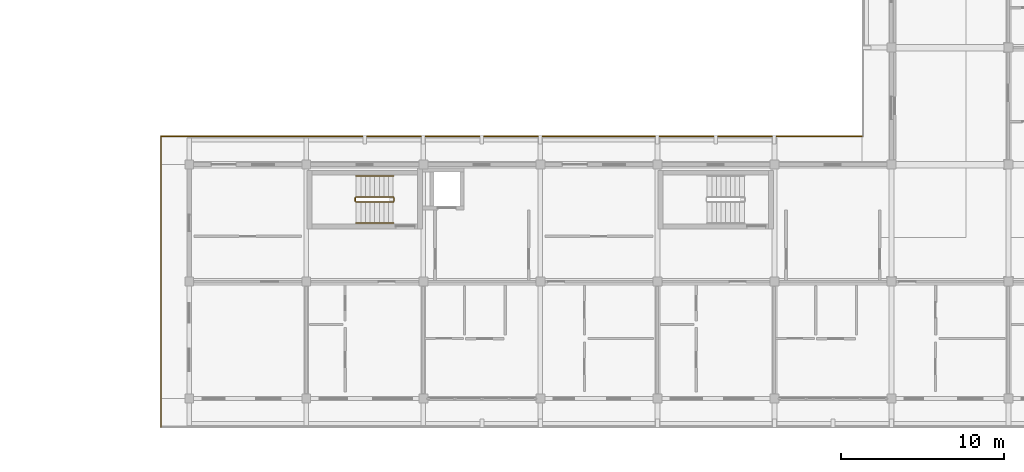
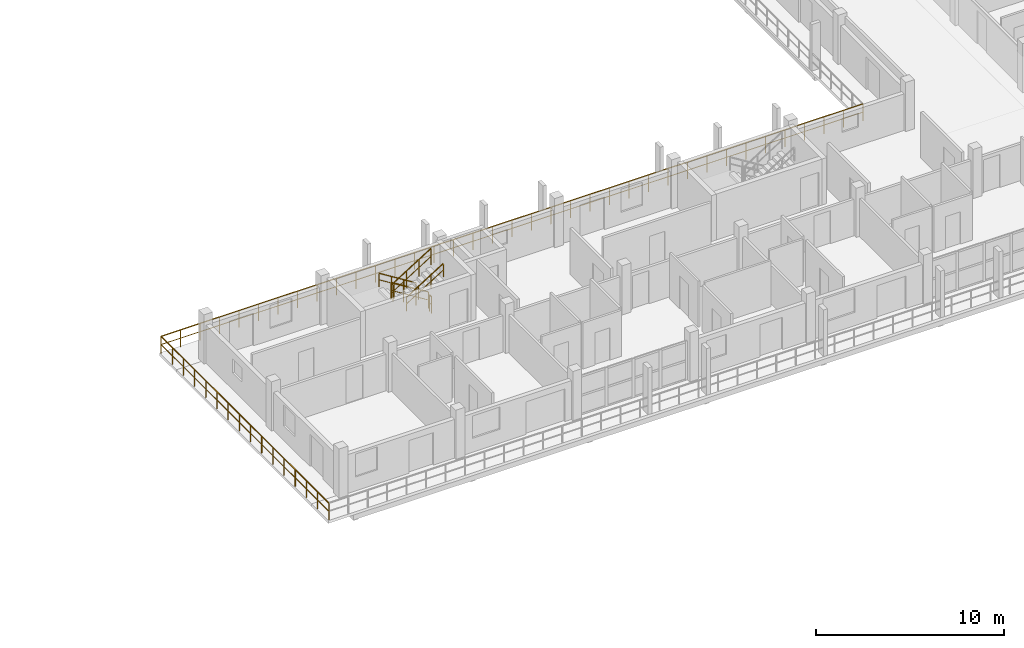
# One storey, part 61 of 67: 8 railings.
"""IFC4 building model written with IfcOpenShell, lengths in metres."""

import ifcopenshell
import ifcopenshell.guid

model = None  # the IFC model being written
_history = None  # IfcOwnerHistory: only IFC2X3 demands one
_inside = {}  # id of a spatial element -> (the spatial element, [elements in it])
_under = {}  # id of a project, library or spatial element -> (it, [spatial elements below it])
_declared = {}  # id of a project -> (the project, [libraries it declares])
_typed = {}  # id of a type object -> (the type object, [elements of that type])
_made_of = {}  # id of a material, layer set ... -> (it, [elements and type objects made of it])


def new_model(schema):
    """Start an empty IFC model of exactly this schema.

    Asked for "IFC4X3", IfcOpenShell would pick the latest addendum, in which some entities
    have other attributes; the version numbers below select the first issue.
    IFC2X3 requires an IfcOwnerHistory on every rooted entity: one is made here for all.
    """
    global model, _history
    if schema == "IFC4X3":
        model = ifcopenshell.file(schema_version=(4, 3, 0, 0))
    else:
        model = ifcopenshell.file(schema=schema)
    _inside.clear()
    _under.clear()
    _declared.clear()
    _typed.clear()
    _made_of.clear()
    _history = None
    if model.schema == "IFC2X3":
        org = make("IfcOrganization", Name="unknown")
        user = make(
            "IfcPersonAndOrganization",
            ThePerson=make("IfcPerson", FamilyName="unknown"),
            TheOrganization=org,
        )
        app = make(
            "IfcApplication",
            ApplicationDeveloper=org,
            Version="unknown",
            ApplicationFullName="unknown",
            ApplicationIdentifier="unknown",
        )
        _history = make(
            "IfcOwnerHistory",
            OwningUser=user,
            OwningApplication=app,
            ChangeAction="ADDED",
            CreationDate=0,
        )
    return model


def make(cls, **values):
    """One entity of the class cls with the attributes given. An attribute that is None is left unset."""
    return model.create_entity(
        cls, **{name: value for name, value in values.items() if value is not None}
    )


def rooted(cls, **values):
    """An entity with a GlobalId (a new one), such as an element, a storey or a relation."""
    return make(cls, GlobalId=ifcopenshell.guid.new(), OwnerHistory=_history, **values)


def si_unit(unit_type, name, prefix=None):
    """IfcSIUnit, for example si_unit("LENGTHUNIT", "METRE", prefix="MILLI")."""
    return make("IfcSIUnit", UnitType=unit_type, Prefix=prefix, Name=name)


def assignment(units):
    """IfcUnitAssignment: the units of a project."""
    return None if units is None else make("IfcUnitAssignment", Units=units)


def point(xyz):
    """IfcCartesianPoint."""
    return None if xyz is None else make("IfcCartesianPoint", Coordinates=xyz)


def direction(xyz):
    """IfcDirection."""
    return None if xyz is None else make("IfcDirection", DirectionRatios=xyz)


def frame(location, z_axis=None, x_axis=None):
    """IfcAxis2Placement3D, a coordinate frame: its origin and axes. An axis left out is left unset."""
    return make(
        "IfcAxis2Placement3D",
        Location=point(location),
        Axis=direction(z_axis),
        RefDirection=direction(x_axis),
    )


def frame_2d(location, x_axis=None):
    """IfcAxis2Placement2D, a coordinate frame in the plane: its origin and x axis."""
    return make(
        "IfcAxis2Placement2D", Location=point(location), RefDirection=direction(x_axis)
    )


def origin():
    """The frame at (0, 0, 0) with its axes left unset."""
    return frame((0.0, 0.0, 0.0))


def origin_2d():
    """The frame at (0, 0) in the plane with its x axis left unset."""
    return frame_2d((0.0, 0.0))


def place(relative_to, where):
    """IfcLocalPlacement: puts the frame where relative to a parent placement (None: the world)."""
    return make(
        "IfcLocalPlacement", PlacementRelTo=relative_to, RelativePlacement=where
    )


def context(
    kind, dimensions, precision=None, world=None, true_north=None, identifier=None
):
    """IfcGeometricRepresentationContext, for example the 3D "Model" context."""
    return make(
        "IfcGeometricRepresentationContext",
        ContextIdentifier=identifier,
        ContextType=kind,
        CoordinateSpaceDimension=dimensions,
        Precision=precision,
        WorldCoordinateSystem=world,
        TrueNorth=true_north,
    )


def subcontext(parent, identifier, kind, view, scale=None):
    """IfcGeometricRepresentationSubContext, for example "Body" below "Model"."""
    return make(
        "IfcGeometricRepresentationSubContext",
        ContextIdentifier=identifier,
        ContextType=kind,
        ParentContext=parent,
        TargetScale=scale,
        TargetView=view,
    )


def project(units=None, contexts=None):
    """IfcProject with its units and contexts."""
    return rooted(
        "IfcProject",
        Name="project",
        RepresentationContexts=contexts,
        UnitsInContext=assignment(units),
    )


def spatial(cls, under=None, at=None, **own):
    """A site, building, storey or space (cls), placed at a placement, below another one or the project."""
    s = rooted(cls, ObjectPlacement=at, **own)
    if under is not None:
        _under.setdefault(under.id(), (under, []))[1].append(s)
    return s


def profile(cls, at=None, kind="AREA", **sizes):
    """A parametric profile (cls). Its sizes go by their IFC names, for example OverallWidth=200.0."""
    return make(cls, ProfileType=kind, Position=at, **sizes)


def rectangle(**sizes):
    """IfcRectangleProfileDef."""
    return profile("IfcRectangleProfileDef", **sizes)


def extrude(swept, where, along, depth):
    """IfcExtrudedAreaSolid: the profile swept, set in the frame where, extruded along a direction by depth."""
    return make(
        "IfcExtrudedAreaSolid",
        SweptArea=swept,
        Position=where,
        ExtrudedDirection=direction(along),
        Depth=depth,
    )


def shape(context_of_items, identifier, shape_type, items):
    """IfcShapeRepresentation: the items that make up one representation, for example the "Body"."""
    return make(
        "IfcShapeRepresentation",
        ContextOfItems=context_of_items,
        RepresentationIdentifier=identifier,
        RepresentationType=shape_type,
        Items=items,
    )


def material(Name=None, Category=None):
    """IfcMaterial."""
    return make("IfcMaterial", Name=Name, Category=Category)


def made_of(thing, what):
    """Note that an element or type object is made of a material, layer set ...; save() writes the relation."""
    if what is not None:
        _made_of.setdefault(what.id(), (what, []))[1].append(thing)
    return thing


def type_object(cls, material=None, **own):
    """A type object (cls), such as IfcWallType, which elements share."""
    return made_of(rooted(cls, **own), material)


def element(
    cls,
    number,
    at=None,
    inside=None,
    cuts=None,
    type_object=None,
    material=None,
    context=None,
    identifier="Body",
    shape_type=None,
    held_by="IfcProductDefinitionShape",
    body=None,
    shapes=None,
    **own,
):
    """One element of the class cls, such as IfcWall. Its Tag is "e" and its number.

    at: its placement. inside: the storey or other place that contains it. cuts: it is an
    opening in that element (IfcRelVoidsElement). A single representation is given by context,
    identifier, shape_type and body (its items); several are given by shapes. held_by: the class
    of the entity that holds the representations. save() writes the other relations.
    """
    e = rooted(cls, Tag="e%d" % number, ObjectPlacement=at, **own)
    if body is not None:
        shapes = [shape(context, identifier, shape_type, body)]
    if shapes is not None:
        e.Representation = make(held_by, Representations=shapes)
    if inside is not None:
        _inside.setdefault(inside.id(), (inside, []))[1].append(e)
    if cuts is not None:
        rooted(
            "IfcRelVoidsElement", RelatingBuildingElement=cuts, RelatedOpeningElement=e
        )
    if type_object is not None:
        _typed.setdefault(type_object.id(), (type_object, []))[1].append(e)
    return made_of(e, material)


def aggregate(whole, parts):
    """IfcRelAggregates: a whole, such as a stair, and the parts it consists of."""
    return rooted("IfcRelAggregates", RelatingObject=whole, RelatedObjects=parts)


def save(model, path):
    """Write the relations noted so far, then the file.

    IfcRelAggregates (storeys below a building ...), IfcRelContainedInSpatialStructure (elements
    in a storey), IfcRelDefinesByType, IfcRelAssociatesMaterial and IfcRelDeclares: one each for
    every whole, place, type object, material and project.
    """
    for whole, parts in _under.values():
        aggregate(whole, parts)
    for where, things in _inside.values():
        rooted(
            "IfcRelContainedInSpatialStructure",
            RelatedElements=things,
            RelatingStructure=where,
        )
    for kind, things in _typed.values():
        rooted("IfcRelDefinesByType", RelatedObjects=things, RelatingType=kind)
    for what, things in _made_of.values():
        rooted("IfcRelAssociatesMaterial", RelatedObjects=things, RelatingMaterial=what)
    for by, libraries in _declared.values():
        rooted("IfcRelDeclares", RelatingContext=by, RelatedDefinitions=libraries)
    model.write(path)


model = new_model("IFC4")

# Units and contexts
model_context = context("Model", 3, precision=1e-05, world=origin(), true_north=direction((0.0, 1.0)))
body_context = subcontext(model_context, "Body", "Model", "MODEL_VIEW")
ifc_project = project(units=[si_unit("LENGTHUNIT", "METRE"), si_unit("AREAUNIT", "SQUARE_METRE"), si_unit("VOLUMEUNIT", "CUBIC_METRE"), si_unit("PLANEANGLEUNIT", "RADIAN"), si_unit("MASSUNIT", "GRAM", prefix="KILO")], contexts=[model_context])

# Site, building, storey
site_placement = place(None, origin())
site = spatial("IfcSite", under=ifc_project, at=site_placement, CompositionType="ELEMENT")
building_placement = place(site_placement, origin())
building = spatial("IfcBuilding", under=site, at=building_placement, Name="Suanplinth Sawtooth Commons", CompositionType="ELEMENT")
storey_placement = place(building_placement, frame((0.0, 0.0, 25.10009765625)))
storey = spatial("IfcBuildingStorey", under=building, at=storey_placement, Name="L07", CompositionType="ELEMENT", Elevation=25.10009765625)

# Railings
ifc_material_1 = material(Name="Powder-coated galvanized steel", Category="steel")
railing_type_1 = type_object("IfcRailingType", Name="GR-01", PredefinedType="BALUSTRADE", material=ifc_material_1)
railing_1_placement = place(storey_placement, frame((127.860107421875, -1.739990234375, 0.0)))
element("IfcRailing", 1, at=railing_1_placement, inside=storey, type_object=railing_type_1, Name="L07 Block C Perimeter Balustrade 1", PredefinedType="BALUSTRADE", context=body_context, shape_type="SweptSolid", body=[
    extrude(rectangle(XDim=0.048095703125, YDim=0.048095703125, at=origin_2d()), frame((0.0, 0.0, 1.09619140625), z_axis=(0.0, 1.0, 0.0), x_axis=(-1.0, 0.0, 0.0)), (0.0, 0.0, 1.0), 17.8798828125),
    extrude(rectangle(XDim=0.03369140625, YDim=0.03369140625, at=origin_2d()), frame((0.0, 0.0, 0.56005859375), z_axis=(0.0, 1.0, 0.0), x_axis=(-1.0, 0.0, 0.0)), (0.0, 0.0, 1.0), 17.8798828125),
    extrude(rectangle(XDim=0.0419921875, YDim=0.0419921875, at=origin_2d()), origin(), (0.0, 0.0, 1.0), 1.072021484375),
    extrude(rectangle(XDim=0.0419921875, YDim=0.0419921875, at=origin_2d()), frame((0.0, 1.19189453125, 0.0)), (0.0, 0.0, 1.0), 1.072021484375),
    extrude(rectangle(XDim=0.0419921875, YDim=0.0419921875, at=origin_2d()), frame((0.0, 2.384033203125, 0.0)), (0.0, 0.0, 1.0), 1.072021484375),
    extrude(rectangle(XDim=0.0419921875, YDim=0.0419921875, at=origin_2d()), frame((0.0, 3.575927734375, 0.0)), (0.0, 0.0, 1.0), 1.072021484375),
    extrude(rectangle(XDim=0.0419921875, YDim=0.0419921875, at=origin_2d()), frame((0.0, 4.76806640625, 0.0)), (0.0, 0.0, 1.0), 1.072021484375),
    extrude(rectangle(XDim=0.0419921875, YDim=0.0419921875, at=origin_2d()), frame((0.0, 5.9599609375, 0.0)), (0.0, 0.0, 1.0), 1.072021484375),
    extrude(rectangle(XDim=0.0419921875, YDim=0.0419921875, at=origin_2d()), frame((0.0, 7.15185546875, 0.0)), (0.0, 0.0, 1.0), 1.072021484375),
    extrude(rectangle(XDim=0.0419921875, YDim=0.0419921875, at=origin_2d()), frame((0.0, 8.343994140625, 0.0)), (0.0, 0.0, 1.0), 1.072021484375),
    extrude(rectangle(XDim=0.0419921875, YDim=0.0419921875, at=origin_2d()), frame((0.0, 9.535888671875, 0.0)), (0.0, 0.0, 1.0), 1.072021484375),
    extrude(rectangle(XDim=0.0419921875, YDim=0.0419921875, at=origin_2d()), frame((0.0, 10.72802734375, 0.0)), (0.0, 0.0, 1.0), 1.072021484375),
    extrude(rectangle(XDim=0.0419921875, YDim=0.0419921875, at=origin_2d()), frame((0.0, 11.919921875, 0.0)), (0.0, 0.0, 1.0), 1.072021484375),
    extrude(rectangle(XDim=0.0419921875, YDim=0.0419921875, at=origin_2d()), frame((0.0, 13.11181640625, 0.0)), (0.0, 0.0, 1.0), 1.072021484375),
    extrude(rectangle(XDim=0.0419921875, YDim=0.0419921875, at=origin_2d()), frame((0.0, 14.303955078125, 0.0)), (0.0, 0.0, 1.0), 1.072021484375),
    extrude(rectangle(XDim=0.0419921875, YDim=0.0419921875, at=origin_2d()), frame((0.0, 15.495849609375, 0.0)), (0.0, 0.0, 1.0), 1.072021484375),
    extrude(rectangle(XDim=0.0419921875, YDim=0.0419921875, at=origin_2d()), frame((0.0, 16.68798828125, 0.0)), (0.0, 0.0, 1.0), 1.072021484375),
    extrude(rectangle(XDim=0.0419921875, YDim=0.0419921875, at=origin_2d()), frame((0.0, 17.8798828125, 0.0)), (0.0, 0.0, 1.0), 1.072021484375),
])
railing_2_placement = place(storey_placement, frame((127.860107421875, 16.139892578125, 0.0)))
element("IfcRailing", 2, at=railing_2_placement, inside=storey, type_object=railing_type_1, Name="L07 Block C Perimeter Balustrade 2", PredefinedType="BALUSTRADE", context=body_context, shape_type="SweptSolid", body=[
    extrude(rectangle(XDim=0.048095703125, YDim=0.048095703125, at=origin_2d()), frame((0.0, 0.0, 1.09619140625), z_axis=(1.0, 0.0, 0.0), x_axis=(0.0, 1.0, 0.0)), (0.0, 0.0, 1.0), 43.199951171875),
    extrude(rectangle(XDim=0.03369140625, YDim=0.03369140625, at=origin_2d()), frame((0.0, 0.0, 0.56005859375), z_axis=(1.0, 0.0, 0.0), x_axis=(0.0, 1.0, 0.0)), (0.0, 0.0, 1.0), 43.199951171875),
    extrude(rectangle(XDim=0.0419921875, YDim=0.0419921875, at=origin_2d()), origin(), (0.0, 0.0, 1.0), 1.072021484375),
    extrude(rectangle(XDim=0.0419921875, YDim=0.0419921875, at=origin_2d()), frame((1.199951171875, 0.0, 0.0)), (0.0, 0.0, 1.0), 1.072021484375),
    extrude(rectangle(XDim=0.0419921875, YDim=0.0419921875, at=origin_2d()), frame((2.39990234375, 0.0, 0.0)), (0.0, 0.0, 1.0), 1.072021484375),
    extrude(rectangle(XDim=0.0419921875, YDim=0.0419921875, at=origin_2d()), frame((3.60009765625, 0.0, 0.0)), (0.0, 0.0, 1.0), 1.072021484375),
    extrude(rectangle(XDim=0.0419921875, YDim=0.0419921875, at=origin_2d()), frame((4.800048828125, 0.0, 0.0)), (0.0, 0.0, 1.0), 1.072021484375),
    extrude(rectangle(XDim=0.0419921875, YDim=0.0419921875, at=origin_2d()), frame((6.0, 0.0, 0.0)), (0.0, 0.0, 1.0), 1.072021484375),
    extrude(rectangle(XDim=0.0419921875, YDim=0.0419921875, at=origin_2d()), frame((7.199951171875, 0.0, 0.0)), (0.0, 0.0, 1.0), 1.072021484375),
    extrude(rectangle(XDim=0.0419921875, YDim=0.0419921875, at=origin_2d()), frame((8.39990234375, 0.0, 0.0)), (0.0, 0.0, 1.0), 1.072021484375),
    extrude(rectangle(XDim=0.0419921875, YDim=0.0419921875, at=origin_2d()), frame((9.60009765625, 0.0, 0.0)), (0.0, 0.0, 1.0), 1.072021484375),
    extrude(rectangle(XDim=0.0419921875, YDim=0.0419921875, at=origin_2d()), frame((10.800048828125, 0.0, 0.0)), (0.0, 0.0, 1.0), 1.072021484375),
    extrude(rectangle(XDim=0.0419921875, YDim=0.0419921875, at=origin_2d()), frame((12.0, 0.0, 0.0)), (0.0, 0.0, 1.0), 1.072021484375),
    extrude(rectangle(XDim=0.0419921875, YDim=0.0419921875, at=origin_2d()), frame((13.199951171875, 0.0, 0.0)), (0.0, 0.0, 1.0), 1.072021484375),
    extrude(rectangle(XDim=0.0419921875, YDim=0.0419921875, at=origin_2d()), frame((14.39990234375, 0.0, 0.0)), (0.0, 0.0, 1.0), 1.072021484375),
    extrude(rectangle(XDim=0.0419921875, YDim=0.0419921875, at=origin_2d()), frame((15.60009765625, 0.0, 0.0)), (0.0, 0.0, 1.0), 1.072021484375),
    extrude(rectangle(XDim=0.0419921875, YDim=0.0419921875, at=origin_2d()), frame((16.800048828125, 0.0, 0.0)), (0.0, 0.0, 1.0), 1.072021484375),
    extrude(rectangle(XDim=0.0419921875, YDim=0.0419921875, at=origin_2d()), frame((18.0, 0.0, 0.0)), (0.0, 0.0, 1.0), 1.072021484375),
    extrude(rectangle(XDim=0.0419921875, YDim=0.0419921875, at=origin_2d()), frame((19.199951171875, 0.0, 0.0)), (0.0, 0.0, 1.0), 1.072021484375),
    extrude(rectangle(XDim=0.0419921875, YDim=0.0419921875, at=origin_2d()), frame((20.39990234375, 0.0, 0.0)), (0.0, 0.0, 1.0), 1.072021484375),
    extrude(rectangle(XDim=0.0419921875, YDim=0.0419921875, at=origin_2d()), frame((21.60009765625, 0.0, 0.0)), (0.0, 0.0, 1.0), 1.072021484375),
    extrude(rectangle(XDim=0.0419921875, YDim=0.0419921875, at=origin_2d()), frame((22.800048828125, 0.0, 0.0)), (0.0, 0.0, 1.0), 1.072021484375),
    extrude(rectangle(XDim=0.0419921875, YDim=0.0419921875, at=origin_2d()), frame((24.0, 0.0, 0.0)), (0.0, 0.0, 1.0), 1.072021484375),
    extrude(rectangle(XDim=0.0419921875, YDim=0.0419921875, at=origin_2d()), frame((25.199951171875, 0.0, 0.0)), (0.0, 0.0, 1.0), 1.072021484375),
    extrude(rectangle(XDim=0.0419921875, YDim=0.0419921875, at=origin_2d()), frame((26.39990234375, 0.0, 0.0)), (0.0, 0.0, 1.0), 1.072021484375),
    extrude(rectangle(XDim=0.0419921875, YDim=0.0419921875, at=origin_2d()), frame((27.599853515625, 0.0, 0.0)), (0.0, 0.0, 1.0), 1.072021484375),
    extrude(rectangle(XDim=0.0419921875, YDim=0.0419921875, at=origin_2d()), frame((28.800048828125, 0.0, 0.0)), (0.0, 0.0, 1.0), 1.072021484375),
    extrude(rectangle(XDim=0.0419921875, YDim=0.0419921875, at=origin_2d()), frame((30.0, 0.0, 0.0)), (0.0, 0.0, 1.0), 1.072021484375),
    extrude(rectangle(XDim=0.0419921875, YDim=0.0419921875, at=origin_2d()), frame((31.199951171875, 0.0, 0.0)), (0.0, 0.0, 1.0), 1.072021484375),
    extrude(rectangle(XDim=0.0419921875, YDim=0.0419921875, at=origin_2d()), frame((32.39990234375, 0.0, 0.0)), (0.0, 0.0, 1.0), 1.072021484375),
    extrude(rectangle(XDim=0.0419921875, YDim=0.0419921875, at=origin_2d()), frame((33.599853515625, 0.0, 0.0)), (0.0, 0.0, 1.0), 1.072021484375),
    extrude(rectangle(XDim=0.0419921875, YDim=0.0419921875, at=origin_2d()), frame((34.800048828125, 0.0, 0.0)), (0.0, 0.0, 1.0), 1.072021484375),
    extrude(rectangle(XDim=0.0419921875, YDim=0.0419921875, at=origin_2d()), frame((36.0, 0.0, 0.0)), (0.0, 0.0, 1.0), 1.072021484375),
    extrude(rectangle(XDim=0.0419921875, YDim=0.0419921875, at=origin_2d()), frame((37.199951171875, 0.0, 0.0)), (0.0, 0.0, 1.0), 1.072021484375),
    extrude(rectangle(XDim=0.0419921875, YDim=0.0419921875, at=origin_2d()), frame((38.39990234375, 0.0, 0.0)), (0.0, 0.0, 1.0), 1.072021484375),
    extrude(rectangle(XDim=0.0419921875, YDim=0.0419921875, at=origin_2d()), frame((39.599853515625, 0.0, 0.0)), (0.0, 0.0, 1.0), 1.072021484375),
    extrude(rectangle(XDim=0.0419921875, YDim=0.0419921875, at=origin_2d()), frame((40.800048828125, 0.0, 0.0)), (0.0, 0.0, 1.0), 1.072021484375),
    extrude(rectangle(XDim=0.0419921875, YDim=0.0419921875, at=origin_2d()), frame((42.0, 0.0, 0.0)), (0.0, 0.0, 1.0), 1.072021484375),
    extrude(rectangle(XDim=0.0419921875, YDim=0.0419921875, at=origin_2d()), frame((43.199951171875, 0.0, 0.0)), (0.0, 0.0, 1.0), 1.072021484375),
])
ifc_material_2 = material(Name="Stainless steel Grade 304", Category="steel")
railing_type_2 = type_object("IfcRailingType", Name="GR-04", PredefinedType="GUARDRAIL", material=ifc_material_2)
railing_3_placement = place(storey_placement, frame((142.14990234375, 12.39990234375, 0.177734375)))
element("IfcRailing", 3, at=railing_3_placement, inside=storey, type_object=railing_type_2, Name="L07 ST-S1 Guard 1", PredefinedType="GUARDRAIL", context=body_context, shape_type="SweptSolid", body=[
    extrude(rectangle(XDim=0.048095703125, YDim=0.048095703125, at=origin_2d()), frame((0.0, 0.0, 1.076171875), z_axis=(-0.848457393559, 0.0, 0.529263687886), x_axis=(0.0, -1.0, 0.0)), (0.0, 0.0, 1.0), 2.68701171875),
    extrude(rectangle(XDim=0.03369140625, YDim=0.03369140625, at=origin_2d()), frame((0.0, 0.0, 0.550048828125), z_axis=(-0.848457393559, 0.0, 0.529263687886), x_axis=(0.0, -1.0, 0.0)), (0.0, 0.0, 1.0), 2.68701171875),
    extrude(rectangle(XDim=0.0419921875, YDim=0.0419921875, at=origin_2d()), origin(), (0.0, 0.0, 1.0), 1.052001953125),
    extrude(rectangle(XDim=0.0419921875, YDim=0.0419921875, at=origin_2d()), frame((-0.760009765625, 0.0, 0.47412109375)), (0.0, 0.0, 1.0), 1.052001953125),
    extrude(rectangle(XDim=0.0419921875, YDim=0.0419921875, at=origin_2d()), frame((-1.519775390625, 0.0, 0.947998046875)), (0.0, 0.0, 1.0), 1.052001953125),
    extrude(rectangle(XDim=0.0419921875, YDim=0.0419921875, at=origin_2d()), frame((-2.27978515625, 0.0, 1.422119140625)), (0.0, 0.0, 1.0), 1.052001953125),
])
railing_4_placement = place(storey_placement, frame((139.820068359375, 12.35009765625, 1.599853515625)))
element("IfcRailing", 4, at=railing_4_placement, inside=storey, type_object=railing_type_2, Name="L07 ST-S1 Guard 2", PredefinedType="GUARDRAIL", context=body_context, shape_type="SweptSolid", body=[
    extrude(rectangle(XDim=0.048095703125, YDim=0.048095703125, at=origin_2d()), frame((0.0, 0.0, 1.076171875), z_axis=(0.0, -1.0, 0.0), x_axis=(1.0, 0.0, 0.0)), (0.0, 0.0, 1.0), 0.2001953125),
    extrude(rectangle(XDim=0.03369140625, YDim=0.03369140625, at=origin_2d()), frame((0.0, 0.0, 0.550048828125), z_axis=(0.0, -1.0, 0.0), x_axis=(1.0, 0.0, 0.0)), (0.0, 0.0, 1.0), 0.2001953125),
    extrude(rectangle(XDim=0.0419921875, YDim=0.0419921875, at=origin_2d()), origin(), (0.0, 0.0, 1.0), 1.052001953125),
    extrude(rectangle(XDim=0.0419921875, YDim=0.0419921875, at=origin_2d()), frame((0.0, -0.2001953125, 0.0)), (0.0, 0.0, 1.0), 1.052001953125),
])
railing_5_placement = place(storey_placement, frame((139.8701171875, 12.10009765625, 1.777587890625)))
element("IfcRailing", 5, at=railing_5_placement, inside=storey, type_object=railing_type_2, Name="L07 ST-S1 Guard 3", PredefinedType="GUARDRAIL", context=body_context, shape_type="SweptSolid", body=[
    extrude(rectangle(XDim=0.048095703125, YDim=0.048095703125, at=origin_2d()), frame((0.0, 0.0, 1.076171875), z_axis=(0.848416591296, 0.0, 0.529329091978), x_axis=(0.0, 1.0, 0.0)), (0.0, 0.0, 1.0), 2.68701171875),
    extrude(rectangle(XDim=0.03369140625, YDim=0.03369140625, at=origin_2d()), frame((0.0, 0.0, 0.550048828125), z_axis=(0.848416591296, 0.0, 0.529329091978), x_axis=(0.0, 1.0, 0.0)), (0.0, 0.0, 1.0), 2.68701171875),
    extrude(rectangle(XDim=0.0419921875, YDim=0.0419921875, at=origin_2d()), origin(), (0.0, 0.0, 1.0), 1.052001953125),
    extrude(rectangle(XDim=0.0419921875, YDim=0.0419921875, at=origin_2d()), frame((0.760009765625, 0.0, 0.47412109375)), (0.0, 0.0, 1.0), 1.052001953125),
    extrude(rectangle(XDim=0.0419921875, YDim=0.0419921875, at=origin_2d()), frame((1.519775390625, 0.0, 0.9482421875)), (0.0, 0.0, 1.0), 1.052001953125),
    extrude(rectangle(XDim=0.0419921875, YDim=0.0419921875, at=origin_2d()), frame((2.27978515625, 0.0, 1.42236328125)), (0.0, 0.0, 1.0), 1.052001953125),
])
railing_6_placement = place(storey_placement, frame((142.199951171875, 12.35009765625, 0.0)))
element("IfcRailing", 6, at=railing_6_placement, inside=storey, type_object=railing_type_2, Name="L07 ST-S1 Guard 4", PredefinedType="GUARDRAIL", context=body_context, shape_type="SweptSolid", body=[
    extrude(rectangle(XDim=0.048095703125, YDim=0.048095703125, at=origin_2d()), frame((0.0, 0.0, 1.076171875), z_axis=(0.0, -1.0, 0.0), x_axis=(1.0, 0.0, 0.0)), (0.0, 0.0, 1.0), 0.2001953125),
    extrude(rectangle(XDim=0.03369140625, YDim=0.03369140625, at=origin_2d()), frame((0.0, 0.0, 0.550048828125), z_axis=(0.0, -1.0, 0.0), x_axis=(1.0, 0.0, 0.0)), (0.0, 0.0, 1.0), 0.2001953125),
    extrude(rectangle(XDim=0.0419921875, YDim=0.0419921875, at=origin_2d()), origin(), (0.0, 0.0, 1.0), 1.052001953125),
    extrude(rectangle(XDim=0.0419921875, YDim=0.0419921875, at=origin_2d()), frame((0.0, -0.2001953125, 0.0)), (0.0, 0.0, 1.0), 1.052001953125),
])
railing_type_3 = type_object("IfcRailingType", Name="HR-01", PredefinedType="HANDRAIL", material=ifc_material_2)
railing_7_placement = place(storey_placement, frame((142.14990234375, 13.699951171875, 0.177734375)))
element("IfcRailing", 7, at=railing_7_placement, inside=storey, type_object=railing_type_3, Name="L07 ST-S1 Handrail 1", PredefinedType="HANDRAIL", context=body_context, shape_type="SweptSolid", body=[
    extrude(rectangle(XDim=0.048095703125, YDim=0.048095703125, at=origin_2d()), frame((0.0, 0.0, 0.8759765625), z_axis=(-0.848457393559, 0.0, 0.529263687886), x_axis=(0.0, -1.0, 0.0)), (0.0, 0.0, 1.0), 2.68701171875),
    extrude(rectangle(XDim=0.03369140625, YDim=0.03369140625, at=origin_2d()), frame((0.0, 0.0, 0.449951171875), z_axis=(-0.848457393559, 0.0, 0.529263687886), x_axis=(0.0, -1.0, 0.0)), (0.0, 0.0, 1.0), 2.68701171875),
    extrude(rectangle(XDim=0.0419921875, YDim=0.0419921875, at=origin_2d()), origin(), (0.0, 0.0, 1.0), 0.851806640625),
    extrude(rectangle(XDim=0.0419921875, YDim=0.0419921875, at=origin_2d()), frame((-0.760009765625, 0.0, 0.47412109375)), (0.0, 0.0, 1.0), 0.851806640625),
    extrude(rectangle(XDim=0.0419921875, YDim=0.0419921875, at=origin_2d()), frame((-1.519775390625, 0.0, 0.947998046875)), (0.0, 0.0, 1.0), 0.851806640625),
    extrude(rectangle(XDim=0.0419921875, YDim=0.0419921875, at=origin_2d()), frame((-2.27978515625, 0.0, 1.422119140625)), (0.0, 0.0, 1.0), 0.851806640625),
])
railing_8_placement = place(storey_placement, frame((139.8701171875, 10.800048828125, 1.777587890625)))
element("IfcRailing", 8, at=railing_8_placement, inside=storey, type_object=railing_type_3, Name="L07 ST-S1 Handrail 2", PredefinedType="HANDRAIL", context=body_context, shape_type="SweptSolid", body=[
    extrude(rectangle(XDim=0.048095703125, YDim=0.048095703125, at=origin_2d()), frame((0.0, 0.0, 0.8759765625), z_axis=(0.848416591296, 0.0, 0.529329091978), x_axis=(0.0, 1.0, 0.0)), (0.0, 0.0, 1.0), 2.68701171875),
    extrude(rectangle(XDim=0.03369140625, YDim=0.03369140625, at=origin_2d()), frame((0.0, 0.0, 0.449951171875), z_axis=(0.848416591296, 0.0, 0.529329091978), x_axis=(0.0, 1.0, 0.0)), (0.0, 0.0, 1.0), 2.68701171875),
    extrude(rectangle(XDim=0.0419921875, YDim=0.0419921875, at=origin_2d()), origin(), (0.0, 0.0, 1.0), 0.851806640625),
    extrude(rectangle(XDim=0.0419921875, YDim=0.0419921875, at=origin_2d()), frame((0.760009765625, 0.0, 0.47412109375)), (0.0, 0.0, 1.0), 0.851806640625),
    extrude(rectangle(XDim=0.0419921875, YDim=0.0419921875, at=origin_2d()), frame((1.519775390625, 0.0, 0.9482421875)), (0.0, 0.0, 1.0), 0.851806640625),
    extrude(rectangle(XDim=0.0419921875, YDim=0.0419921875, at=origin_2d()), frame((2.27978515625, 0.0, 1.42236328125)), (0.0, 0.0, 1.0), 0.851806640625),
])

save(model, "model.ifc")
